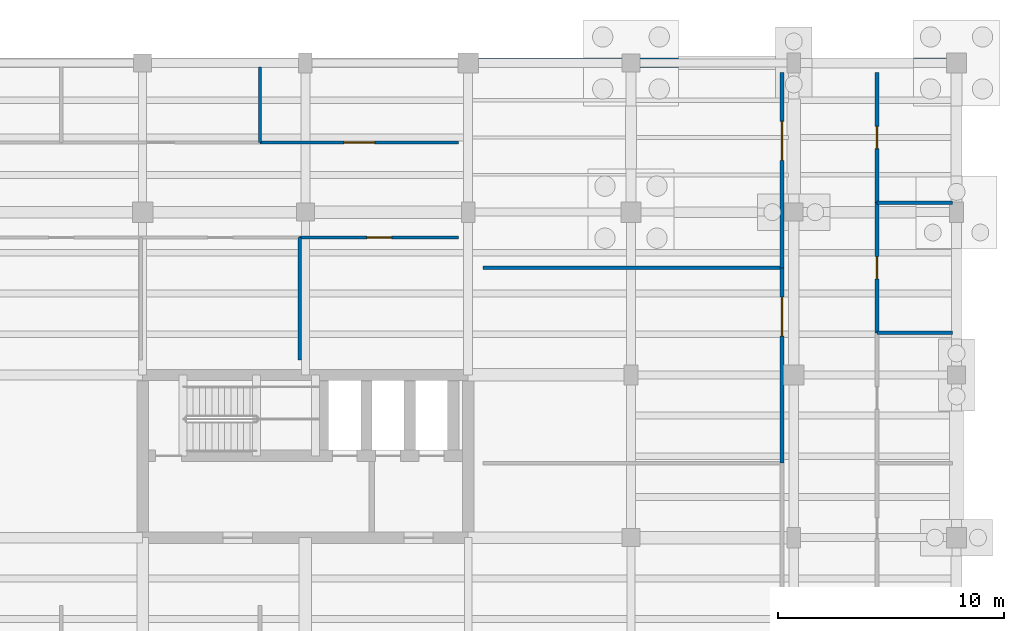
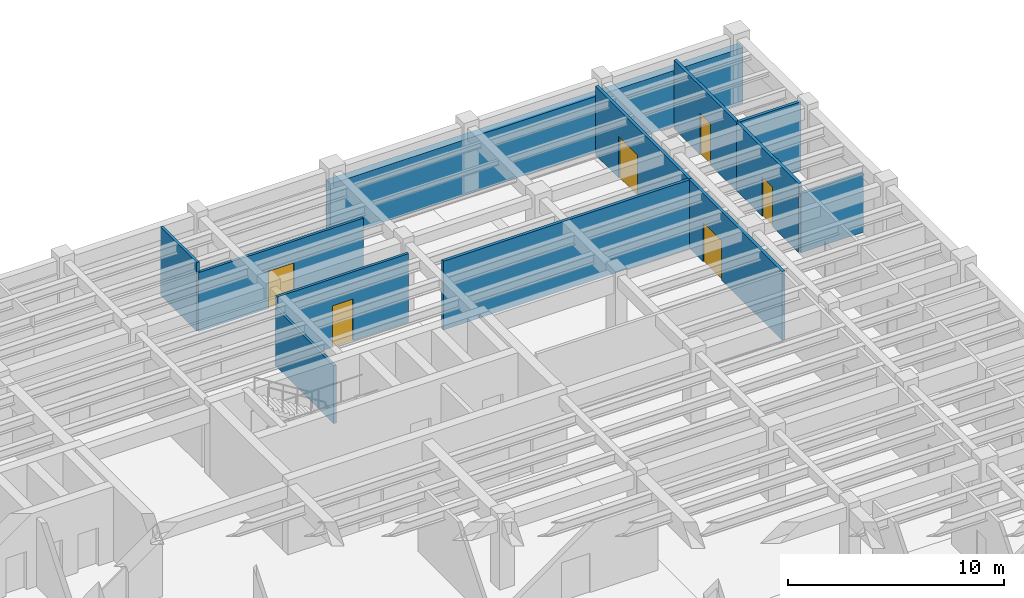
# One storey, part 25 of 33: 12 walls, 6 doors, 6 openings.
"""IFC4 building model written with IfcOpenShell, lengths in metres."""

from ifc_helpers import new_model, si_unit, direction, frame, frame_2d, origin, place, context, subcontext, project, spatial, rectangle, extrude, material, layer, layer_set, type_object, element, fill, save


model = new_model("IFC4")

# Units and contexts
model_context = context("Model", 3, precision=1e-05, world=origin(), true_north=direction((0.0, 1.0)))
body_context = subcontext(model_context, "Body", "Model", "MODEL_VIEW")
ifc_project = project(units=[si_unit("LENGTHUNIT", "METRE"), si_unit("AREAUNIT", "SQUARE_METRE"), si_unit("VOLUMEUNIT", "CUBIC_METRE"), si_unit("PLANEANGLEUNIT", "RADIAN"), si_unit("MASSUNIT", "GRAM", prefix="KILO")], contexts=[model_context])

# Site, building, storey
site_placement = place(None, origin())
site = spatial("IfcSite", under=ifc_project, at=site_placement, CompositionType="ELEMENT")
building_placement = place(site_placement, origin())
building = spatial("IfcBuilding", under=site, at=building_placement, Name="Mithqara Police Headquarters", CompositionType="ELEMENT")
storey_placement = place(building_placement, frame((0.0, 0.0, -4.199951171875)))
storey = spatial("IfcBuildingStorey", under=building, at=storey_placement, Name="B1", CompositionType="ELEMENT", Elevation=-4.199951171875)

# Wall
ifc_material_1 = material(Name="Gypsum acoustic stud partition", Category="gypsum")
ifc_layer_1 = layer(ifc_material_1, 0.139892578125, Name="Gypsum acoustic stud partition")
ifc_layer_set_1 = layer_set([ifc_layer_1], Name="Gypsum acoustic stud partition")
wall_type_1 = type_object("IfcWallType", Name="PART WALL 140", PredefinedType="PARTITIONING", material=ifc_layer_set_1)
wall_1_placement = place(storey_placement, frame((137.14794921875, 100.85009765625, 0.0), z_axis=(0.0, 0.0, 1.0), x_axis=(0.0, 1.0, 0.0)))
element("IfcWall", 1, at=wall_1_placement, inside=storey, type_object=wall_type_1, Name="B1 Room Partition Patrol Car Park", PredefinedType="PARTITIONING", context=body_context, shape_type="SweptSolid", body=[
    extrude(rectangle(XDim=5.429931640625, YDim=0.139892578125, at=frame_2d((2.71484375, 0.0))), origin(), (0.0, 0.0, 1.0), 3.280029296875),
])

# Wall, opening, door
wall_2_placement = place(storey_placement, frame((137.14794921875, 106.280029296875, 0.0), z_axis=(0.0, 0.0, 1.0), x_axis=(1.0, 0.0, 0.0)))
wall_2 = element("IfcWall", 2, at=wall_2_placement, inside=storey, type_object=wall_type_1, Name="B1 Corridor Wall Fleet Dispatch Booth", PredefinedType="PARTITIONING", context=body_context, shape_type="SweptSolid", body=[
    extrude(rectangle(XDim=7.031982421875, YDim=0.139892578125, at=frame_2d((3.51611328125, 0.0))), origin(), (0.0, 0.0, 1.0), 3.8798828125),
])
opening_1_placement = place(wall_2_placement, frame((2.966064453125, 0.0, 0.0)))
opening_1 = element("IfcOpeningElement", 3, at=opening_1_placement, cuts=wall_2, Name="Opening D-12", PredefinedType="OPENING", context=body_context, shape_type="SweptSolid", body=[
    extrude(rectangle(XDim=1.10009765625, YDim=2.35009765625, at=frame_2d((0.550048828125, 1.175048828125))), frame((0.0, 0.080078125, 0.0), z_axis=(0.0, -1.0, 0.0), x_axis=(1.0, 0.0, 0.0)), (0.0, 0.0, 1.0), 0.159912109375),
])
ifc_material_2 = material(Name="Acoustic solid-core timber leaf", Category="wood")
door_type_1 = type_object("IfcDoorType", Name="INT DOOR 1100X2350", OperationType="NOTDEFINED", PredefinedType="DOOR", material=ifc_material_2)
door_1_placement = place(opening_1_placement, frame((1.10009765625, 0.0, 0.0), z_axis=(0.0, 0.0, 1.0), x_axis=(-1.0, 0.0, 0.0)))
door_1 = element("IfcDoor", 4, at=door_1_placement, inside=storey, type_object=door_type_1, Name="Fleet Dispatch Booth Entry Door", OperationType="SINGLE_SWING_LEFT", OverallHeight=2.35009765625, OverallWidth=1.10009765625, PredefinedType="DOOR", context=body_context, shape_type="SweptSolid", body=[
    extrude(rectangle(XDim=1.10009765625, YDim=2.35009765625, at=frame_2d((0.550048828125, 1.175048828125))), frame((0.0, 0.02490234375, 0.0), z_axis=(0.0, -1.0, 0.0), x_axis=(1.0, 0.0, 0.0)), (0.0, 0.0, 1.0), 0.050048828125),
])
fill(opening_1, door_1)

# Wall
wall_3_placement = place(storey_placement, frame((135.389892578125, 110.47998046875, 0.0), z_axis=(0.0, 0.0, 1.0), x_axis=(0.0, 1.0, 0.0)))
element("IfcWall", 5, at=wall_3_placement, inside=storey, type_object=wall_type_1, Name="B1 Room Partition Fleet Dispatch Booth", PredefinedType="PARTITIONING", context=body_context, shape_type="SweptSolid", body=[
    extrude(rectangle(XDim=3.340087890625, YDim=0.139892578125, at=frame_2d((1.669921875, 0.0))), origin(), (0.0, 0.0, 1.0), 3.8798828125),
])

# Wall, opening, door
wall_4_placement = place(storey_placement, frame((135.389892578125, 110.47998046875, 0.0), z_axis=(0.0, 0.0, 1.0), x_axis=(1.0, 0.0, 0.0)))
wall_4 = element("IfcWall", 6, at=wall_4_placement, inside=storey, type_object=wall_type_1, Name="B1 Corridor Wall Patrol Car Park", PredefinedType="PARTITIONING", context=body_context, shape_type="SweptSolid", body=[
    extrude(rectangle(XDim=8.7900390625, YDim=0.139892578125, at=frame_2d((4.39501953125, 0.0))), origin(), (0.0, 0.0, 1.0), 3.329833984375),
])
opening_2_placement = place(wall_4_placement, frame((3.715087890625, 0.0, 0.0)))
opening_2 = element("IfcOpeningElement", 7, at=opening_2_placement, cuts=wall_4, Name="Opening D-16", PredefinedType="OPENING", context=body_context, shape_type="SweptSolid", body=[
    extrude(rectangle(XDim=1.360107421875, YDim=2.10009765625, at=frame_2d((0.68017578125, 1.050048828125))), frame((0.0, 0.080078125, 0.0), z_axis=(0.0, -1.0, 0.0), x_axis=(1.0, 0.0, 0.0)), (0.0, 0.0, 1.0), 0.159912109375),
])
ifc_material_3 = material(Name="Bronze anodised aluminium 6063-T6", Category="aluminium")
door_type_2 = type_object("IfcDoorType", Name="INT DOOR 1360X2100", OperationType="NOTDEFINED", PredefinedType="DOOR", material=ifc_material_3)
door_2_placement = place(opening_2_placement, origin())
door_2 = element("IfcDoor", 8, at=door_2_placement, inside=storey, type_object=door_type_2, Name="Patrol Car Park Entry Door", OperationType="SINGLE_SWING_LEFT", OverallHeight=2.10009765625, OverallWidth=1.360107421875, PredefinedType="DOOR", context=body_context, shape_type="SweptSolid", body=[
    extrude(rectangle(XDim=1.360107421875, YDim=2.10009765625, at=frame_2d((0.68017578125, 1.050048828125))), frame((0.0, 0.02490234375, 0.0), z_axis=(0.0, -1.0, 0.0), x_axis=(1.0, 0.0, 0.0)), (0.0, 0.0, 1.0), 0.050048828125),
])
fill(opening_2, door_2)

ifc_layer_2 = layer(ifc_material_1, 0.159912109375, Name="Gypsum acoustic stud partition")
ifc_layer_set_2 = layer_set([ifc_layer_2], Name="Gypsum acoustic stud partition")
wall_type_2 = type_object("IfcWallType", Name="PART WALL 160", PredefinedType="PARTITIONING", material=ifc_layer_set_2)
wall_5_placement = place(storey_placement, frame((158.47998046875, 96.300048828125, 0.0), z_axis=(0.0, 0.0, 1.0), x_axis=(0.0, 1.0, 0.0)))
wall_5 = element("IfcWall", 9, at=wall_5_placement, inside=storey, type_object=wall_type_2, Name="B1 Corridor Wall Patrol Car Park", PredefinedType="PARTITIONING", context=body_context, shape_type="SweptSolid", body=[
    extrude(rectangle(XDim=8.639892578125, YDim=0.159912109375, at=frame_2d((4.31982421875, 0.0))), origin(), (0.0, 0.0, 1.0), 3.8798828125),
])
opening_3_placement = place(wall_5_placement, frame((5.6201171875, 0.0, 0.0)))
opening_3 = element("IfcOpeningElement", 10, at=opening_3_placement, cuts=wall_5, Name="Opening D-23", PredefinedType="OPENING", context=body_context, shape_type="SweptSolid", body=[
    extrude(rectangle(XDim=1.719970703125, YDim=2.219970703125, at=frame_2d((0.85986328125, 1.10986328125))), frame((0.0, 0.08984375, 0.0), z_axis=(0.0, -1.0, 0.0), x_axis=(1.0, 0.0, 0.0)), (0.0, 0.0, 1.0), 0.179931640625),
])
door_type_3 = type_object("IfcDoorType", Name="INT DOOR 1720X2220", OperationType="NOTDEFINED", PredefinedType="DOOR", material=ifc_material_3)
door_3_placement = place(opening_3_placement, frame((1.719970703125, 0.0, 0.0), z_axis=(0.0, 0.0, 1.0), x_axis=(-1.0, 0.0, 0.0)))
door_3 = element("IfcDoor", 11, at=door_3_placement, inside=storey, type_object=door_type_3, Name="Patrol Car Park Entry Door", OperationType="DOUBLE_DOOR_SINGLE_SWING", OverallHeight=2.219970703125, OverallWidth=1.719970703125, PredefinedType="DOOR", context=body_context, shape_type="SweptSolid", body=[
    extrude(rectangle(XDim=1.719970703125, YDim=2.219970703125, at=frame_2d((0.85986328125, 1.10986328125))), frame((0.0, 0.02490234375, 0.0), z_axis=(0.0, -1.0, 0.0), x_axis=(1.0, 0.0, 0.0)), (0.0, 0.0, 1.0), 0.050048828125),
])
fill(opening_3, door_3)

# Wall
wall_6_placement = place(storey_placement, frame((145.25, 104.93994140625, 0.0), z_axis=(0.0, 0.0, 1.0), x_axis=(1.0, 0.0, 0.0)))
element("IfcWall", 12, at=wall_6_placement, inside=storey, type_object=wall_type_2, Name="B1 Room Partition Patrol Car Park", PredefinedType="PARTITIONING", context=body_context, shape_type="SweptSolid", body=[
    extrude(rectangle(XDim=13.22998046875, YDim=0.159912109375, at=frame_2d((6.614990234375, 0.0))), origin(), (0.0, 0.0, 1.0), 3.8798828125),
])

# Wall, opening, door
wall_7_placement = place(storey_placement, frame((158.47998046875, 104.93994140625, 0.0), z_axis=(0.0, 0.0, 1.0), x_axis=(0.0, 1.0, 0.0)))
wall_7 = element("IfcWall", 13, at=wall_7_placement, inside=storey, type_object=wall_type_2, Name="B1 Corridor Wall Electric Patrol Charging Bay", PredefinedType="PARTITIONING", context=body_context, shape_type="SweptSolid", body=[
    extrude(rectangle(XDim=8.64013671875, YDim=0.159912109375, at=frame_2d((4.320068359375, 0.0))), origin(), (0.0, 0.0, 1.0), 3.8798828125),
])
opening_4_placement = place(wall_7_placement, frame((4.756103515625, 0.0, 0.0)))
opening_4 = element("IfcOpeningElement", 14, at=opening_4_placement, cuts=wall_7, Name="Opening D-24", PredefinedType="OPENING", context=body_context, shape_type="SweptSolid", body=[
    extrude(rectangle(XDim=1.719970703125, YDim=2.35009765625, at=frame_2d((0.85986328125, 1.175048828125))), frame((0.0, 0.08984375, 0.0), z_axis=(0.0, -1.0, 0.0), x_axis=(1.0, 0.0, 0.0)), (0.0, 0.0, 1.0), 0.179931640625),
])
door_type_4 = type_object("IfcDoorType", Name="INT DOOR 1720X2350", OperationType="NOTDEFINED", PredefinedType="DOOR", material=ifc_material_3)
door_4_placement = place(opening_4_placement, frame((1.719970703125, 0.0, 0.0), z_axis=(0.0, 0.0, 1.0), x_axis=(-1.0, 0.0, 0.0)))
door_4 = element("IfcDoor", 15, at=door_4_placement, inside=storey, type_object=door_type_4, Name="Electric Patrol Charging Bay Entry Door", OperationType="DOUBLE_DOOR_SINGLE_SWING", OverallHeight=2.35009765625, OverallWidth=1.719970703125, PredefinedType="DOOR", context=body_context, shape_type="SweptSolid", body=[
    extrude(rectangle(XDim=1.719970703125, YDim=2.35009765625, at=frame_2d((0.85986328125, 1.175048828125))), frame((0.0, 0.02490234375, 0.0), z_axis=(0.0, -1.0, 0.0), x_axis=(1.0, 0.0, 0.0)), (0.0, 0.0, 1.0), 0.050048828125),
])
fill(opening_4, door_4)

# Wall
wall_8_placement = place(storey_placement, frame((162.679931640625, 102.06005859375, 0.0), z_axis=(0.0, 0.0, 1.0), x_axis=(1.0, 0.0, 0.0)))
element("IfcWall", 16, at=wall_8_placement, inside=storey, type_object=wall_type_2, Name="B1 Room Partition Electric Patrol Charging Bay", PredefinedType="PARTITIONING", context=body_context, shape_type="SweptSolid", body=[
    extrude(rectangle(XDim=3.340087890625, YDim=0.159912109375, at=frame_2d((1.669921875, 0.0))), origin(), (0.0, 0.0, 1.0), 3.329833984375),
])

# Wall, opening, door
wall_9_placement = place(storey_placement, frame((162.679931640625, 102.06005859375, 0.0), z_axis=(0.0, 0.0, 1.0), x_axis=(0.0, 1.0, 0.0)))
wall_9 = element("IfcWall", 17, at=wall_9_placement, inside=storey, type_object=wall_type_2, Name="B1 Corridor Wall Patrol Car Park", PredefinedType="PARTITIONING", context=body_context, shape_type="SweptSolid", body=[
    extrude(rectangle(XDim=5.760009765625, YDim=0.159912109375, at=frame_2d((2.8798828125, 0.0))), origin(), (0.0, 0.0, 1.0), 3.8798828125),
])
opening_5_placement = place(wall_9_placement, frame((2.389892578125, 0.0, 0.0)))
opening_5 = element("IfcOpeningElement", 18, at=opening_5_placement, cuts=wall_9, Name="Opening D-05", PredefinedType="OPENING", context=body_context, shape_type="SweptSolid", body=[
    extrude(rectangle(XDim=0.97998046875, YDim=2.219970703125, at=frame_2d((0.489990234375, 1.10986328125))), frame((0.0, 0.08984375, 0.0), z_axis=(0.0, -1.0, 0.0), x_axis=(1.0, 0.0, 0.0)), (0.0, 0.0, 1.0), 0.179931640625),
])
door_type_5 = type_object("IfcDoorType", Name="INT DOOR 980X2220", OperationType="NOTDEFINED", PredefinedType="DOOR", material=ifc_material_2)
door_5_placement = place(opening_5_placement, origin())
door_5 = element("IfcDoor", 19, at=door_5_placement, inside=storey, type_object=door_type_5, Name="Patrol Car Park Entry Door", OperationType="SINGLE_SWING_RIGHT", OverallHeight=2.219970703125, OverallWidth=0.97998046875, PredefinedType="DOOR", context=body_context, shape_type="SweptSolid", body=[
    extrude(rectangle(XDim=0.97998046875, YDim=2.219970703125, at=frame_2d((0.489990234375, 1.10986328125))), frame((0.0, 0.02490234375, 0.0), z_axis=(0.0, -1.0, 0.0), x_axis=(1.0, 0.0, 0.0)), (0.0, 0.0, 1.0), 0.050048828125),
])
fill(opening_5, door_5)

# Wall
wall_10_placement = place(storey_placement, frame((162.679931640625, 107.820068359375, 0.0), z_axis=(0.0, 0.0, 1.0), x_axis=(1.0, 0.0, 0.0)))
element("IfcWall", 20, at=wall_10_placement, inside=storey, type_object=wall_type_2, Name="B1 Room Partition Patrol Car Park", PredefinedType="PARTITIONING", context=body_context, shape_type="SweptSolid", body=[
    extrude(rectangle(XDim=3.340087890625, YDim=0.159912109375, at=frame_2d((1.669921875, 0.0))), origin(), (0.0, 0.0, 1.0), 3.8798828125),
])

# Wall, opening, door
wall_11_placement = place(storey_placement, frame((162.679931640625, 107.820068359375, 0.0), z_axis=(0.0, 0.0, 1.0), x_axis=(0.0, 1.0, 0.0)))
wall_11 = element("IfcWall", 21, at=wall_11_placement, inside=storey, type_object=wall_type_2, Name="B1 Corridor Wall Electric Patrol Charging Bay", PredefinedType="PARTITIONING", context=body_context, shape_type="SweptSolid", body=[
    extrude(rectangle(XDim=5.760009765625, YDim=0.159912109375, at=frame_2d((2.8798828125, 0.0))), origin(), (0.0, 0.0, 1.0), 3.8798828125),
])
opening_6_placement = place(wall_11_placement, frame((2.389892578125, 0.0, 0.0)))
opening_6 = element("IfcOpeningElement", 22, at=opening_6_placement, cuts=wall_11, Name="Opening D-06", PredefinedType="OPENING", context=body_context, shape_type="SweptSolid", body=[
    extrude(rectangle(XDim=0.97998046875, YDim=2.35009765625, at=frame_2d((0.489990234375, 1.175048828125))), frame((0.0, 0.08984375, 0.0), z_axis=(0.0, -1.0, 0.0), x_axis=(1.0, 0.0, 0.0)), (0.0, 0.0, 1.0), 0.179931640625),
])
door_type_6 = type_object("IfcDoorType", Name="INT DOOR 980X2350", OperationType="NOTDEFINED", PredefinedType="DOOR", material=ifc_material_2)
door_6_placement = place(opening_6_placement, origin())
door_6 = element("IfcDoor", 23, at=door_6_placement, inside=storey, type_object=door_type_6, Name="Electric Patrol Charging Bay Entry Door", OperationType="SINGLE_SWING_LEFT", OverallHeight=2.35009765625, OverallWidth=0.97998046875, PredefinedType="DOOR", context=body_context, shape_type="SweptSolid", body=[
    extrude(rectangle(XDim=0.97998046875, YDim=2.35009765625, at=frame_2d((0.489990234375, 1.175048828125))), frame((0.0, 0.02490234375, 0.0), z_axis=(0.0, -1.0, 0.0), x_axis=(1.0, 0.0, 0.0)), (0.0, 0.0, 1.0), 0.050048828125),
])
fill(opening_6, door_6)

# Wall
ifc_material_4 = material(Name="Concrete C40/50", Category="concrete")
ifc_layer_3 = layer(ifc_material_4, 0.419921875, Name="Concrete C40/50")
ifc_layer_set_3 = layer_set([ifc_layer_3], Name="Concrete C40/50")
wall_type_3 = type_object("IfcWallType", Name="RETAINING WALL 420", PredefinedType="USERDEFINED", material=ifc_layer_set_3)
wall_12_placement = place(storey_placement, frame((144.389892578125, 114.0, 0.0), z_axis=(0.0, 0.0, 1.0), x_axis=(1.0, 0.0, 0.0)))
element("IfcWall", 24, at=wall_12_placement, inside=storey, type_object=wall_type_3, Name="B1 Perimeter Retaining Wall 10", ObjectType="RETAININGWALL", PredefinedType="USERDEFINED", context=body_context, shape_type="SweptSolid", body=[
    extrude(rectangle(XDim=22.02001953125, YDim=0.419921875, at=frame_2d((11.010009765625, 0.0))), origin(), (0.0, 0.0, 1.0), 3.1298828125),
])

save(model, "model.ifc")
